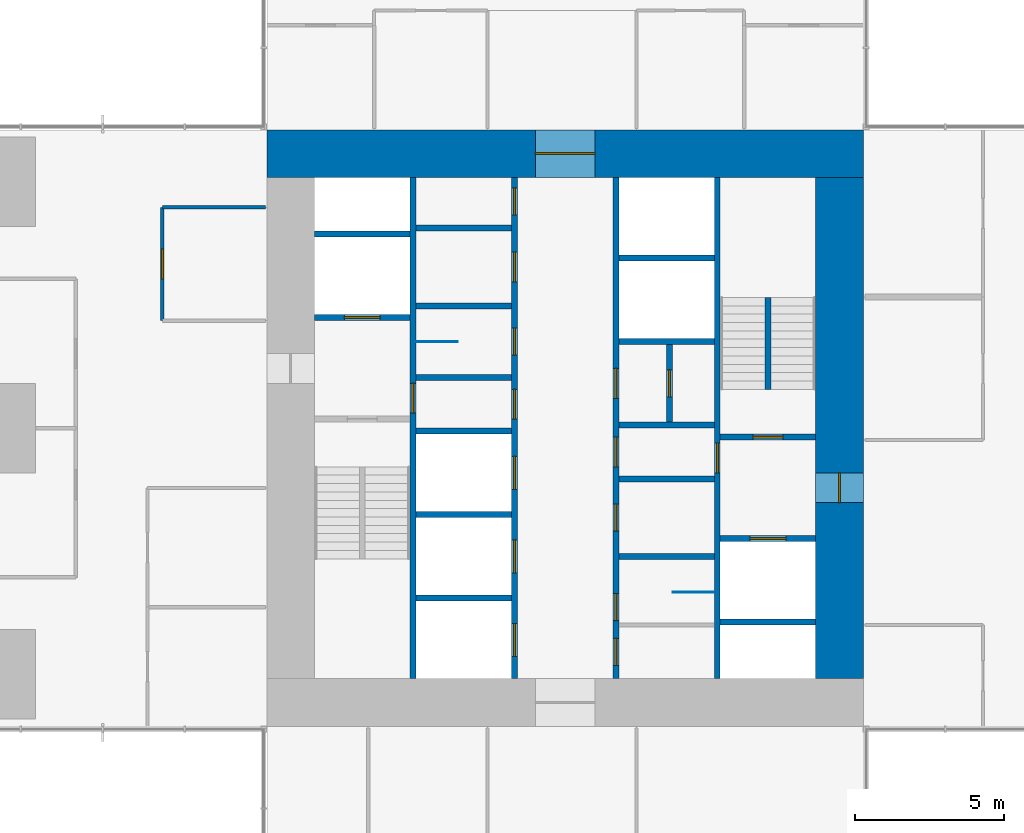
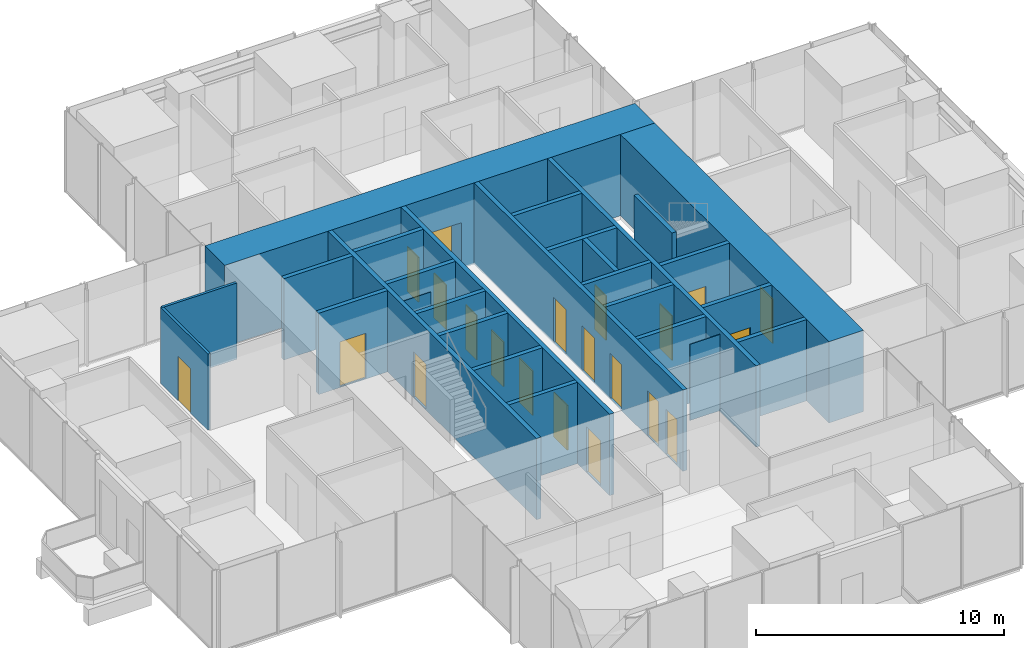
# One storey, part 9 of 14: 28 walls, 21 doors, 21 openings.
"""IFC4 building model written with IfcOpenShell, lengths in metres."""

from ifc_helpers import new_model, si_unit, direction, frame, frame_2d, origin, place, context, subcontext, project, spatial, rectangle, extrude, material, layer, layer_set, type_object, element, fill, save


model = new_model("IFC4")

# Units and contexts
model_context = context("Model", 3, precision=1e-05, world=origin(), true_north=direction((0.0, 1.0)))
body_context = subcontext(model_context, "Body", "Model", "MODEL_VIEW")
ifc_project = project(units=[si_unit("LENGTHUNIT", "METRE"), si_unit("AREAUNIT", "SQUARE_METRE"), si_unit("VOLUMEUNIT", "CUBIC_METRE"), si_unit("PLANEANGLEUNIT", "RADIAN"), si_unit("MASSUNIT", "GRAM", prefix="KILO")], contexts=[model_context])

# Site, building, storey
site_placement = place(None, origin())
site = spatial("IfcSite", under=ifc_project, at=site_placement, CompositionType="ELEMENT")
building_placement = place(site_placement, origin())
building = spatial("IfcBuilding", under=site, at=building_placement, Name="Svetlomir Tower", CompositionType="ELEMENT")
storey_placement = place(building_placement, frame((0.0, 0.0, 112.5)))
storey = spatial("IfcBuildingStorey", under=building, at=storey_placement, Name="L26", CompositionType="ELEMENT", Elevation=112.5)

# Wall, opening, door
ifc_material_1 = material(Name="Concrete C60/75", Category="concrete")
ifc_layer_1 = layer(ifc_material_1, 0.199951171875)
ifc_layer_set_1 = layer_set([ifc_layer_1], Name="Concrete C60/75")
wall_type_1 = type_object("IfcWallType", Name="CORE INNER WALL 200", PredefinedType="SHEAR", material=ifc_layer_set_1)
wall_1_placement = place(storey_placement, frame((15.89990234375, 12.60009765625, -0.050048828125), z_axis=(0.0, 0.0, 1.0), x_axis=(0.0, 1.0, 0.0)))
wall_1 = element("IfcWall", 1, at=wall_1_placement, inside=storey, type_object=wall_type_1, Name="Core inner wall 15.9 L26", PredefinedType="SHEAR", context=body_context, shape_type="SweptSolid", body=[
    extrude(rectangle(XDim=16.7998046875, YDim=0.199951171875, at=frame_2d((8.39990234375, 0.0))), origin(), (0.0, 0.0, 1.0), 4.0),
])
opening_1_placement = place(wall_1_placement, frame((8.89990234375, 0.0, 0.050048828125)))
opening_1 = element("IfcOpeningElement", 2, at=opening_1_placement, cuts=wall_1, Name="Opening DF", PredefinedType="OPENING", context=body_context, shape_type="SweptSolid", body=[
    extrude(rectangle(XDim=1.0, YDim=2.199951171875, at=frame_2d((0.5, 1.10009765625))), frame((0.0, 0.10986328125, 0.0), z_axis=(0.0, -1.0, 0.0), x_axis=(1.0, 0.0, 0.0)), (0.0, 0.0, 1.0), 0.219970703125),
])
ifc_material_2 = material(Name="Steel fire door", Category="steel")
door_type_1 = type_object("IfcDoorType", Name="DOOR DF 1000x2200", OperationType="SINGLE_SWING_LEFT", PredefinedType="DOOR", material=ifc_material_2)
door_1_placement = place(opening_1_placement, origin())
door_1 = element("IfcDoor", 3, at=door_1_placement, inside=storey, type_object=door_type_1, Name="Core corridor west door L26", OperationType="SINGLE_SWING_LEFT", OverallHeight=2.199951171875, OverallWidth=1.0, PredefinedType="DOOR", context=body_context, shape_type="SweptSolid", body=[
    extrude(rectangle(XDim=1.0, YDim=2.199951171875, at=frame_2d((0.5, 1.10009765625))), frame((0.0, 0.02490234375, 0.0), z_axis=(0.0, -1.0, 0.0), x_axis=(1.0, 0.0, 0.0)), (0.0, 0.0, 1.0), 0.050048828125),
])
fill(opening_1, door_1)

# Wall, openings, doors
wall_2_placement = place(storey_placement, frame((19.300048828125, 12.60009765625, -0.050048828125), z_axis=(0.0, 0.0, 1.0), x_axis=(0.0, 1.0, 0.0)))
wall_2 = element("IfcWall", 4, at=wall_2_placement, inside=storey, type_object=wall_type_1, Name="Core inner wall 19.3 L26", PredefinedType="SHEAR", context=body_context, shape_type="SweptSolid", body=[
    extrude(rectangle(XDim=16.7998046875, YDim=0.199951171875, at=frame_2d((8.39990234375, 0.0))), origin(), (0.0, 0.0, 1.0), 4.0),
])
opening_2_placement = place(wall_2_placement, frame((8.699951171875, 0.0, 0.050048828125)))
opening_2 = element("IfcOpeningElement", 5, at=opening_2_placement, cuts=wall_2, Name="Opening DC", PredefinedType="OPENING", context=body_context, shape_type="SweptSolid", body=[
    extrude(rectangle(XDim=1.0, YDim=2.199951171875, at=frame_2d((0.5, 1.10009765625))), frame((0.0, 0.10986328125, 0.0), z_axis=(0.0, -1.0, 0.0), x_axis=(1.0, 0.0, 0.0)), (0.0, 0.0, 1.0), 0.219970703125),
])
opening_3_placement = place(wall_2_placement, frame((10.85009765625, 0.0, 0.050048828125)))
opening_3 = element("IfcOpeningElement", 6, at=opening_3_placement, cuts=wall_2, Name="Opening DW", PredefinedType="OPENING", context=body_context, shape_type="SweptSolid", body=[
    extrude(rectangle(XDim=0.89990234375, YDim=2.199951171875, at=frame_2d((0.449951171875, 1.10009765625))), frame((0.0, 0.10986328125, 0.0), z_axis=(0.0, -1.0, 0.0), x_axis=(1.0, 0.0, 0.0)), (0.0, 0.0, 1.0), 0.219970703125),
])
opening_4_placement = place(wall_2_placement, frame((13.300048828125, 0.0, 0.050048828125)))
opening_4 = element("IfcOpeningElement", 7, at=opening_4_placement, cuts=wall_2, Name="Opening DC", PredefinedType="OPENING", context=body_context, shape_type="SweptSolid", body=[
    extrude(rectangle(XDim=1.0, YDim=2.199951171875, at=frame_2d((0.5, 1.10009765625))), frame((0.0, 0.10986328125, 0.0), z_axis=(0.0, -1.0, 0.0), x_axis=(1.0, 0.0, 0.0)), (0.0, 0.0, 1.0), 0.219970703125),
])
opening_5_placement = place(wall_2_placement, frame((15.550048828125, 0.0, 0.050048828125)))
opening_5 = element("IfcOpeningElement", 8, at=opening_5_placement, cuts=wall_2, Name="Opening DW", PredefinedType="OPENING", context=body_context, shape_type="SweptSolid", body=[
    extrude(rectangle(XDim=0.89990234375, YDim=2.199951171875, at=frame_2d((0.449951171875, 1.10009765625))), frame((0.0, 0.10986328125, 0.0), z_axis=(0.0, -1.0, 0.0), x_axis=(1.0, 0.0, 0.0)), (0.0, 0.0, 1.0), 0.219970703125),
])
opening_6_placement = place(wall_2_placement, frame((0.75, 0.0, 0.050048828125)))
opening_6 = element("IfcOpeningElement", 9, at=opening_6_placement, cuts=wall_2, Name="Opening LD", PredefinedType="OPENING", context=body_context, shape_type="SweptSolid", body=[
    extrude(rectangle(XDim=1.10009765625, YDim=2.199951171875, at=frame_2d((0.550048828125, 1.10009765625))), frame((0.0, 0.10986328125, 0.0), z_axis=(0.0, -1.0, 0.0), x_axis=(1.0, 0.0, 0.0)), (0.0, 0.0, 1.0), 0.219970703125),
])
opening_7_placement = place(wall_2_placement, frame((3.550048828125, 0.0, 0.050048828125)))
opening_7 = element("IfcOpeningElement", 10, at=opening_7_placement, cuts=wall_2, Name="Opening LD", PredefinedType="OPENING", context=body_context, shape_type="SweptSolid", body=[
    extrude(rectangle(XDim=1.10009765625, YDim=2.199951171875, at=frame_2d((0.550048828125, 1.10009765625))), frame((0.0, 0.10986328125, 0.0), z_axis=(0.0, -1.0, 0.0), x_axis=(1.0, 0.0, 0.0)), (0.0, 0.0, 1.0), 0.219970703125),
])
opening_8_placement = place(wall_2_placement, frame((6.35009765625, 0.0, 0.050048828125)))
opening_8 = element("IfcOpeningElement", 11, at=opening_8_placement, cuts=wall_2, Name="Opening LD", PredefinedType="OPENING", context=body_context, shape_type="SweptSolid", body=[
    extrude(rectangle(XDim=1.10009765625, YDim=2.199951171875, at=frame_2d((0.550048828125, 1.10009765625))), frame((0.0, 0.10986328125, 0.0), z_axis=(0.0, -1.0, 0.0), x_axis=(1.0, 0.0, 0.0)), (0.0, 0.0, 1.0), 0.219970703125),
])
ifc_material_3 = material(Name="Timber fire door", Category="wood")
door_type_2 = type_object("IfcDoorType", Name="DOOR DC 1000x2200", OperationType="SINGLE_SWING_LEFT", PredefinedType="DOOR", material=ifc_material_3)
door_2_placement = place(opening_2_placement, origin())
door_2 = element("IfcDoor", 12, at=door_2_placement, inside=storey, type_object=door_type_2, Name="Core corridor west lobby door L26", OperationType="SINGLE_SWING_RIGHT", OverallHeight=2.199951171875, OverallWidth=1.0, PredefinedType="DOOR", context=body_context, shape_type="SweptSolid", body=[
    extrude(rectangle(XDim=1.0, YDim=2.199951171875, at=frame_2d((0.5, 1.10009765625))), frame((0.0, 0.02490234375, 0.0), z_axis=(0.0, -1.0, 0.0), x_axis=(1.0, 0.0, 0.0)), (0.0, 0.0, 1.0), 0.050048828125),
])
fill(opening_2, door_2)
door_3_placement = place(opening_4_placement, origin())
door_3 = element("IfcDoor", 13, at=door_3_placement, inside=storey, type_object=door_type_2, Name="Accessible WC door L26", OperationType="SINGLE_SWING_LEFT", OverallHeight=2.199951171875, OverallWidth=1.0, PredefinedType="DOOR", context=body_context, shape_type="SweptSolid", body=[
    extrude(rectangle(XDim=1.0, YDim=2.199951171875, at=frame_2d((0.5, 1.10009765625))), frame((0.0, 0.02490234375, 0.0), z_axis=(0.0, -1.0, 0.0), x_axis=(1.0, 0.0, 0.0)), (0.0, 0.0, 1.0), 0.050048828125),
])
fill(opening_4, door_3)
ifc_material_4 = material(Name="Timber fire door", Category="wood")
door_type_3 = type_object("IfcDoorType", Name="DOOR DW 900x2200", OperationType="SINGLE_SWING_LEFT", PredefinedType="DOOR", material=ifc_material_4)
door_4_placement = place(opening_3_placement, origin())
door_4 = element("IfcDoor", 14, at=door_4_placement, inside=storey, type_object=door_type_3, Name="Female WC door L26", OperationType="SINGLE_SWING_RIGHT", OverallHeight=2.199951171875, OverallWidth=0.89990234375, PredefinedType="DOOR", context=body_context, shape_type="SweptSolid", body=[
    extrude(rectangle(XDim=0.89990234375, YDim=2.199951171875, at=frame_2d((0.449951171875, 1.10009765625))), frame((0.0, 0.02490234375, 0.0), z_axis=(0.0, -1.0, 0.0), x_axis=(1.0, 0.0, 0.0)), (0.0, 0.0, 1.0), 0.050048828125),
])
fill(opening_3, door_4)
door_5_placement = place(opening_5_placement, origin())
door_5 = element("IfcDoor", 15, at=door_5_placement, inside=storey, type_object=door_type_3, Name="First aid room door L26", OperationType="SINGLE_SWING_RIGHT", OverallHeight=2.199951171875, OverallWidth=0.89990234375, PredefinedType="DOOR", context=body_context, shape_type="SweptSolid", body=[
    extrude(rectangle(XDim=0.89990234375, YDim=2.199951171875, at=frame_2d((0.449951171875, 1.10009765625))), frame((0.0, 0.02490234375, 0.0), z_axis=(0.0, -1.0, 0.0), x_axis=(1.0, 0.0, 0.0)), (0.0, 0.0, 1.0), 0.050048828125),
])
fill(opening_5, door_5)
ifc_material_5 = material(Name="Stainless steel landing door", Category="steel")
door_type_4 = type_object("IfcDoorType", Name="LIFT LANDING DOOR LD 1100x2200", OperationType="DOUBLE_DOOR_SLIDING", PredefinedType="DOOR", material=ifc_material_5)
door_6_placement = place(opening_6_placement, origin())
door_6 = element("IfcDoor", 16, at=door_6_placement, inside=storey, type_object=door_type_4, Name="Landing door lift LB1 L26", OperationType="DOUBLE_DOOR_SLIDING", OverallHeight=2.199951171875, OverallWidth=1.10009765625, PredefinedType="DOOR", context=body_context, shape_type="SweptSolid", body=[
    extrude(rectangle(XDim=1.10009765625, YDim=2.199951171875, at=frame_2d((0.550048828125, 1.10009765625))), frame((0.0, 0.02490234375, 0.0), z_axis=(0.0, -1.0, 0.0), x_axis=(1.0, 0.0, 0.0)), (0.0, 0.0, 1.0), 0.050048828125),
])
fill(opening_6, door_6)
door_7_placement = place(opening_7_placement, origin())
door_7 = element("IfcDoor", 17, at=door_7_placement, inside=storey, type_object=door_type_4, Name="Landing door lift LB2 L26", OperationType="DOUBLE_DOOR_SLIDING", OverallHeight=2.199951171875, OverallWidth=1.10009765625, PredefinedType="DOOR", context=body_context, shape_type="SweptSolid", body=[
    extrude(rectangle(XDim=1.10009765625, YDim=2.199951171875, at=frame_2d((0.550048828125, 1.10009765625))), frame((0.0, 0.02490234375, 0.0), z_axis=(0.0, -1.0, 0.0), x_axis=(1.0, 0.0, 0.0)), (0.0, 0.0, 1.0), 0.050048828125),
])
fill(opening_7, door_7)
door_8_placement = place(opening_8_placement, origin())
door_8 = element("IfcDoor", 18, at=door_8_placement, inside=storey, type_object=door_type_4, Name="Landing door lift LB3 L26", OperationType="DOUBLE_DOOR_SLIDING", OverallHeight=2.199951171875, OverallWidth=1.10009765625, PredefinedType="DOOR", context=body_context, shape_type="SweptSolid", body=[
    extrude(rectangle(XDim=1.10009765625, YDim=2.199951171875, at=frame_2d((0.550048828125, 1.10009765625))), frame((0.0, 0.02490234375, 0.0), z_axis=(0.0, -1.0, 0.0), x_axis=(1.0, 0.0, 0.0)), (0.0, 0.0, 1.0), 0.050048828125),
])
fill(opening_8, door_8)

wall_3_placement = place(storey_placement, frame((22.699951171875, 12.60009765625, -0.050048828125), z_axis=(0.0, 0.0, 1.0), x_axis=(0.0, 1.0, 0.0)))
wall_3 = element("IfcWall", 19, at=wall_3_placement, inside=storey, type_object=wall_type_1, Name="Core inner wall 22.7 L26", PredefinedType="SHEAR", context=body_context, shape_type="SweptSolid", body=[
    extrude(rectangle(XDim=16.7998046875, YDim=0.199951171875, at=frame_2d((8.39990234375, 0.0))), origin(), (0.0, 0.0, 1.0), 4.0),
])
opening_9_placement = place(wall_3_placement, frame((0.449951171875, 0.0, 0.050048828125)))
opening_9 = element("IfcOpeningElement", 20, at=opening_9_placement, cuts=wall_3, Name="Opening DW", PredefinedType="OPENING", context=body_context, shape_type="SweptSolid", body=[
    extrude(rectangle(XDim=0.89990234375, YDim=2.199951171875, at=frame_2d((0.449951171875, 1.10009765625))), frame((0.0, 0.10986328125, 0.0), z_axis=(0.0, -1.0, 0.0), x_axis=(1.0, 0.0, 0.0)), (0.0, 0.0, 1.0), 0.219970703125),
])
opening_10_placement = place(wall_3_placement, frame((7.10009765625, 0.0, 0.050048828125)))
opening_10 = element("IfcOpeningElement", 21, at=opening_10_placement, cuts=wall_3, Name="Opening DC", PredefinedType="OPENING", context=body_context, shape_type="SweptSolid", body=[
    extrude(rectangle(XDim=1.0, YDim=2.199951171875, at=frame_2d((0.5, 1.10009765625))), frame((0.0, 0.10986328125, 0.0), z_axis=(0.0, -1.0, 0.0), x_axis=(1.0, 0.0, 0.0)), (0.0, 0.0, 1.0), 0.219970703125),
])
opening_11_placement = place(wall_3_placement, frame((1.949951171875, 0.0, 0.050048828125)))
opening_11 = element("IfcOpeningElement", 22, at=opening_11_placement, cuts=wall_3, Name="Opening DW", PredefinedType="OPENING", context=body_context, shape_type="SweptSolid", body=[
    extrude(rectangle(XDim=0.89990234375, YDim=2.199951171875, at=frame_2d((0.449951171875, 1.10009765625))), frame((0.0, 0.10986328125, 0.0), z_axis=(0.0, -1.0, 0.0), x_axis=(1.0, 0.0, 0.0)), (0.0, 0.0, 1.0), 0.219970703125),
])
opening_12_placement = place(wall_3_placement, frame((4.949951171875, 0.0, 0.050048828125)))
opening_12 = element("IfcOpeningElement", 23, at=opening_12_placement, cuts=wall_3, Name="Opening DW", PredefinedType="OPENING", context=body_context, shape_type="SweptSolid", body=[
    extrude(rectangle(XDim=0.89990234375, YDim=2.199951171875, at=frame_2d((0.449951171875, 1.10009765625))), frame((0.0, 0.10986328125, 0.0), z_axis=(0.0, -1.0, 0.0), x_axis=(1.0, 0.0, 0.0)), (0.0, 0.0, 1.0), 0.219970703125),
])
opening_13_placement = place(wall_3_placement, frame((9.39990234375, 0.0, 0.050048828125)))
opening_13 = element("IfcOpeningElement", 24, at=opening_13_placement, cuts=wall_3, Name="Opening DC", PredefinedType="OPENING", context=body_context, shape_type="SweptSolid", body=[
    extrude(rectangle(XDim=1.0, YDim=2.199951171875, at=frame_2d((0.5, 1.10009765625))), frame((0.0, 0.10986328125, 0.0), z_axis=(0.0, -1.0, 0.0), x_axis=(1.0, 0.0, 0.0)), (0.0, 0.0, 1.0), 0.219970703125),
])
door_9_placement = place(opening_10_placement, origin())
door_9 = element("IfcDoor", 25, at=door_9_placement, inside=storey, type_object=door_type_2, Name="Core corridor east lobby door L26", OperationType="SINGLE_SWING_LEFT", OverallHeight=2.199951171875, OverallWidth=1.0, PredefinedType="DOOR", context=body_context, shape_type="SweptSolid", body=[
    extrude(rectangle(XDim=1.0, YDim=2.199951171875, at=frame_2d((0.5, 1.10009765625))), frame((0.0, 0.02490234375, 0.0), z_axis=(0.0, -1.0, 0.0), x_axis=(1.0, 0.0, 0.0)), (0.0, 0.0, 1.0), 0.050048828125),
])
fill(opening_10, door_9)
door_10_placement = place(opening_13_placement, origin())
door_10 = element("IfcDoor", 26, at=door_10_placement, inside=storey, type_object=door_type_2, Name="Converted shaft BANK-E1 room door L26", OperationType="SINGLE_SWING_LEFT", OverallHeight=2.199951171875, OverallWidth=1.0, PredefinedType="DOOR", context=body_context, shape_type="SweptSolid", body=[
    extrude(rectangle(XDim=1.0, YDim=2.199951171875, at=frame_2d((0.5, 1.10009765625))), frame((0.0, 0.02490234375, 0.0), z_axis=(0.0, -1.0, 0.0), x_axis=(1.0, 0.0, 0.0)), (0.0, 0.0, 1.0), 0.050048828125),
])
fill(opening_13, door_10)
door_11_placement = place(opening_9_placement, origin())
door_11 = element("IfcDoor", 27, at=door_11_placement, inside=storey, type_object=door_type_3, Name="Floor store door L26", OperationType="SINGLE_SWING_LEFT", OverallHeight=2.199951171875, OverallWidth=0.89990234375, PredefinedType="DOOR", context=body_context, shape_type="SweptSolid", body=[
    extrude(rectangle(XDim=0.89990234375, YDim=2.199951171875, at=frame_2d((0.449951171875, 1.10009765625))), frame((0.0, 0.02490234375, 0.0), z_axis=(0.0, -1.0, 0.0), x_axis=(1.0, 0.0, 0.0)), (0.0, 0.0, 1.0), 0.050048828125),
])
fill(opening_9, door_11)
door_12_placement = place(opening_11_placement, origin())
door_12 = element("IfcDoor", 28, at=door_12_placement, inside=storey, type_object=door_type_3, Name="Male WC door L26", OperationType="SINGLE_SWING_LEFT", OverallHeight=2.199951171875, OverallWidth=0.89990234375, PredefinedType="DOOR", context=body_context, shape_type="SweptSolid", body=[
    extrude(rectangle(XDim=0.89990234375, YDim=2.199951171875, at=frame_2d((0.449951171875, 1.10009765625))), frame((0.0, 0.02490234375, 0.0), z_axis=(0.0, -1.0, 0.0), x_axis=(1.0, 0.0, 0.0)), (0.0, 0.0, 1.0), 0.050048828125),
])
fill(opening_11, door_12)
door_13_placement = place(opening_12_placement, origin())
door_13 = element("IfcDoor", 29, at=door_13_placement, inside=storey, type_object=door_type_3, Name="Comms room door L26", OperationType="SINGLE_SWING_RIGHT", OverallHeight=2.199951171875, OverallWidth=0.89990234375, PredefinedType="DOOR", context=body_context, shape_type="SweptSolid", body=[
    extrude(rectangle(XDim=0.89990234375, YDim=2.199951171875, at=frame_2d((0.449951171875, 1.10009765625))), frame((0.0, 0.02490234375, 0.0), z_axis=(0.0, -1.0, 0.0), x_axis=(1.0, 0.0, 0.0)), (0.0, 0.0, 1.0), 0.050048828125),
])
fill(opening_12, door_13)

# Wall, opening, door
wall_4_placement = place(storey_placement, frame((26.10009765625, 12.60009765625, -0.050048828125), z_axis=(0.0, 0.0, 1.0), x_axis=(0.0, 1.0, 0.0)))
wall_4 = element("IfcWall", 30, at=wall_4_placement, inside=storey, type_object=wall_type_1, Name="Core inner wall 26.1 L26", PredefinedType="SHEAR", context=body_context, shape_type="SweptSolid", body=[
    extrude(rectangle(XDim=16.7998046875, YDim=0.199951171875, at=frame_2d((8.39990234375, 0.0))), origin(), (0.0, 0.0, 1.0), 4.0),
])
opening_14_placement = place(wall_4_placement, frame((6.89990234375, 0.0, 0.050048828125)))
opening_14 = element("IfcOpeningElement", 31, at=opening_14_placement, cuts=wall_4, Name="Opening DF", PredefinedType="OPENING", context=body_context, shape_type="SweptSolid", body=[
    extrude(rectangle(XDim=1.0, YDim=2.199951171875, at=frame_2d((0.5, 1.10009765625))), frame((0.0, 0.10986328125, 0.0), z_axis=(0.0, -1.0, 0.0), x_axis=(1.0, 0.0, 0.0)), (0.0, 0.0, 1.0), 0.219970703125),
])
door_14_placement = place(opening_14_placement, origin())
door_14 = element("IfcDoor", 32, at=door_14_placement, inside=storey, type_object=door_type_1, Name="Core corridor east door L26", OperationType="SINGLE_SWING_LEFT", OverallHeight=2.199951171875, OverallWidth=1.0, PredefinedType="DOOR", context=body_context, shape_type="SweptSolid", body=[
    extrude(rectangle(XDim=1.0, YDim=2.199951171875, at=frame_2d((0.5, 1.10009765625))), frame((0.0, 0.02490234375, 0.0), z_axis=(0.0, -1.0, 0.0), x_axis=(1.0, 0.0, 0.0)), (0.0, 0.0, 1.0), 0.050048828125),
])
fill(opening_14, door_14)

wall_5_placement = place(storey_placement, frame((12.60009765625, 24.699951171875, -0.050048828125), z_axis=(0.0, 0.0, 1.0), x_axis=(1.0, 0.0, 0.0)))
wall_5 = element("IfcWall", 33, at=wall_5_placement, inside=storey, type_object=wall_type_1, Name="Core inner wall 12.6-15.8/24.7 L26", PredefinedType="SHEAR", context=body_context, shape_type="SweptSolid", body=[
    extrude(rectangle(XDim=3.199951171875, YDim=0.199951171875, at=frame_2d((1.60009765625, 0.0))), origin(), (0.0, 0.0, 1.0), 4.0),
])
opening_15_placement = place(wall_5_placement, frame((1.0, 0.0, 0.050048828125)))
opening_15 = element("IfcOpeningElement", 34, at=opening_15_placement, cuts=wall_5, Name="Opening LD3", PredefinedType="OPENING", context=body_context, shape_type="SweptSolid", body=[
    extrude(rectangle(XDim=1.199951171875, YDim=2.199951171875, at=frame_2d((0.60009765625, 1.10009765625))), frame((0.0, 0.10986328125, 0.0), z_axis=(0.0, -1.0, 0.0), x_axis=(1.0, 0.0, 0.0)), (0.0, 0.0, 1.0), 0.219970703125),
])
ifc_material_6 = material(Name="Stainless steel fire-rated landing door", Category="steel")
door_type_5 = type_object("IfcDoorType", Name="FIREFIGHTING LIFT LANDING DOOR LD3 1200x2200", OperationType="DOUBLE_DOOR_SLIDING", PredefinedType="DOOR", material=ifc_material_6)
door_15_placement = place(opening_15_placement, origin())
door_15 = element("IfcDoor", 35, at=door_15_placement, inside=storey, type_object=door_type_5, Name="Landing door lift FL1 L26", OperationType="DOUBLE_DOOR_SLIDING", OverallHeight=2.199951171875, OverallWidth=1.199951171875, PredefinedType="DOOR", context=body_context, shape_type="SweptSolid", body=[
    extrude(rectangle(XDim=1.199951171875, YDim=2.199951171875, at=frame_2d((0.60009765625, 1.10009765625))), frame((0.0, 0.02490234375, 0.0), z_axis=(0.0, -1.0, 0.0), x_axis=(1.0, 0.0, 0.0)), (0.0, 0.0, 1.0), 0.050048828125),
])
fill(opening_15, door_15)

# Walls
for number, where, z_axis, x_axis, name in (
    (36, (12.60009765625, 27.5, -0.050048828125), (0.0, 0.0, 1.0), (1.0, 0.0, 0.0), "Core inner wall 12.6-15.8/27.5 L26"),
    (37, (16.0, 15.300048828125, -0.050048828125), (0.0, 0.0, 1.0), (1.0, 0.0, 0.0), "Core inner wall 16-19.2/15.3 L26"),
    (38, (16.0, 18.10009765625, -0.050048828125), (0.0, 0.0, 1.0), (1.0, 0.0, 0.0), "Core inner wall 16-19.2/18.1 L26"),
    (39, (16.0, 20.89990234375, -0.050048828125), (0.0, 0.0, 1.0), (1.0, 0.0, 0.0), "Core inner wall 16-19.2/20.9 L26"),
    (40, (16.0, 22.699951171875, -0.050048828125), (0.0, 0.0, 1.0), (1.0, 0.0, 0.0), "Core inner wall 16-19.2/22.7 L26"),
    (41, (16.0, 25.10009765625, -0.050048828125), (0.0, 0.0, 1.0), (1.0, 0.0, 0.0), "Core inner wall 16-19.2/25.1 L26"),
    (42, (16.0, 27.699951171875, -0.050048828125), (0.0, 0.0, 1.0), (1.0, 0.0, 0.0), "Core inner wall 16-19.2/27.7 L26"),
    (43, (22.800048828125, 16.699951171875, -0.050048828125), (0.0, 0.0, 1.0), (1.0, 0.0, 0.0), "Core inner wall 22.8-26/16.7 L26"),
    (44, (22.800048828125, 19.300048828125, -0.050048828125), (0.0, 0.0, 1.0), (1.0, 0.0, 0.0), "Core inner wall 22.8-26/19.3 L26"),
    (45, (22.800048828125, 21.10009765625, -0.050048828125), (0.0, 0.0, 1.0), (1.0, 0.0, 0.0), "Core inner wall 22.8-26/21.1 L26"),
    (46, (22.800048828125, 23.89990234375, -0.050048828125), (0.0, 0.0, 1.0), (1.0, 0.0, 0.0), "Core inner wall 22.8-26/23.9 L26"),
    (47, (22.800048828125, 26.699951171875, -0.050048828125), (0.0, 0.0, 1.0), (1.0, 0.0, 0.0), "Core inner wall 22.8-26/26.7 L26"),
    (48, (26.199951171875, 14.5, -0.050048828125), (0.0, 0.0, 1.0), (1.0, 0.0, 0.0), "Core inner wall 26.2-29.4/14.5 L26"),
):
    element("IfcWall", number, at=place(storey_placement, frame(where, z_axis=z_axis, x_axis=x_axis)), inside=storey, type_object=wall_type_1, Name=name, PredefinedType="SHEAR", context=body_context, shape_type="SweptSolid", body=[
        extrude(rectangle(XDim=3.199951171875, YDim=0.199951171875, at=frame_2d((1.60009765625, 0.0))), origin(), (0.0, 0.0, 1.0), 4.0),
    ])

# Wall, opening, door
wall_6_placement = place(storey_placement, frame((26.199951171875, 17.300048828125, -0.050048828125), z_axis=(0.0, 0.0, 1.0), x_axis=(1.0, 0.0, 0.0)))
wall_6 = element("IfcWall", 49, at=wall_6_placement, inside=storey, type_object=wall_type_1, Name="Core inner wall 26.2-29.4/17.3 L26", PredefinedType="SHEAR", context=body_context, shape_type="SweptSolid", body=[
    extrude(rectangle(XDim=3.199951171875, YDim=0.199951171875, at=frame_2d((1.60009765625, 0.0))), origin(), (0.0, 0.0, 1.0), 4.0),
])
opening_16_placement = place(wall_6_placement, frame((1.0, 0.0, 0.050048828125)))
opening_16 = element("IfcOpeningElement", 50, at=opening_16_placement, cuts=wall_6, Name="Opening LD3", PredefinedType="OPENING", context=body_context, shape_type="SweptSolid", body=[
    extrude(rectangle(XDim=1.199951171875, YDim=2.199951171875, at=frame_2d((0.60009765625, 1.10009765625))), frame((0.0, 0.10986328125, 0.0), z_axis=(0.0, -1.0, 0.0), x_axis=(1.0, 0.0, 0.0)), (0.0, 0.0, 1.0), 0.219970703125),
])
door_16_placement = place(opening_16_placement, origin())
door_16 = element("IfcDoor", 51, at=door_16_placement, inside=storey, type_object=door_type_5, Name="Landing door lift FL2 L26", OperationType="DOUBLE_DOOR_SLIDING", OverallHeight=2.199951171875, OverallWidth=1.199951171875, PredefinedType="DOOR", context=body_context, shape_type="SweptSolid", body=[
    extrude(rectangle(XDim=1.199951171875, YDim=2.199951171875, at=frame_2d((0.60009765625, 1.10009765625))), frame((0.0, 0.02490234375, 0.0), z_axis=(0.0, -1.0, 0.0), x_axis=(1.0, 0.0, 0.0)), (0.0, 0.0, 1.0), 0.050048828125),
])
fill(opening_16, door_16)

wall_7_placement = place(storey_placement, frame((26.199951171875, 20.699951171875, -0.050048828125), z_axis=(0.0, 0.0, 1.0), x_axis=(1.0, 0.0, 0.0)))
wall_7 = element("IfcWall", 52, at=wall_7_placement, inside=storey, type_object=wall_type_1, Name="Core inner wall 26.2-29.4/20.7 L26", PredefinedType="SHEAR", context=body_context, shape_type="SweptSolid", body=[
    extrude(rectangle(XDim=3.199951171875, YDim=0.199951171875, at=frame_2d((1.60009765625, 0.0))), origin(), (0.0, 0.0, 1.0), 4.0),
])
opening_17_placement = place(wall_7_placement, frame((1.10009765625, 0.0, 0.050048828125)))
opening_17 = element("IfcOpeningElement", 53, at=opening_17_placement, cuts=wall_7, Name="Opening DF", PredefinedType="OPENING", context=body_context, shape_type="SweptSolid", body=[
    extrude(rectangle(XDim=1.0, YDim=2.199951171875, at=frame_2d((0.5, 1.10009765625))), frame((0.0, 0.10986328125, 0.0), z_axis=(0.0, -1.0, 0.0), x_axis=(1.0, 0.0, 0.0)), (0.0, 0.0, 1.0), 0.219970703125),
])
door_17_placement = place(opening_17_placement, origin())
door_17 = element("IfcDoor", 54, at=door_17_placement, inside=storey, type_object=door_type_1, Name="Stair S2 door L26", OperationType="SINGLE_SWING_LEFT", OverallHeight=2.199951171875, OverallWidth=1.0, PredefinedType="DOOR", context=body_context, shape_type="SweptSolid", body=[
    extrude(rectangle(XDim=1.0, YDim=2.199951171875, at=frame_2d((0.5, 1.10009765625))), frame((0.0, 0.02490234375, 0.0), z_axis=(0.0, -1.0, 0.0), x_axis=(1.0, 0.0, 0.0)), (0.0, 0.0, 1.0), 0.050048828125),
])
fill(opening_17, door_17)

wall_8_placement = place(storey_placement, frame((24.5, 21.199951171875, -0.050048828125), z_axis=(0.0, 0.0, 1.0), x_axis=(0.0, 1.0, 0.0)))
wall_8 = element("IfcWall", 55, at=wall_8_placement, inside=storey, type_object=wall_type_1, Name="Core inner wall 24.5/21.2-23.8 L26", PredefinedType="SHEAR", context=body_context, shape_type="SweptSolid", body=[
    extrude(rectangle(XDim=2.60009765625, YDim=0.199951171875, at=frame_2d((1.300048828125, 0.0))), origin(), (0.0, 0.0, 1.0), 4.0),
])
opening_18_placement = place(wall_8_placement, frame((0.85009765625, 0.0, 0.050048828125)))
opening_18 = element("IfcOpeningElement", 56, at=opening_18_placement, cuts=wall_8, Name="Opening DW", PredefinedType="OPENING", context=body_context, shape_type="SweptSolid", body=[
    extrude(rectangle(XDim=0.89990234375, YDim=2.199951171875, at=frame_2d((0.449951171875, 1.10009765625))), frame((0.0, 0.10986328125, 0.0), z_axis=(0.0, -1.0, 0.0), x_axis=(1.0, 0.0, 0.0)), (0.0, 0.0, 1.0), 0.219970703125),
])
door_18_placement = place(opening_18_placement, origin())
door_18 = element("IfcDoor", 57, at=door_18_placement, inside=storey, type_object=door_type_3, Name="Converted shaft BANK-E1 back room door L26", OperationType="SINGLE_SWING_RIGHT", OverallHeight=2.199951171875, OverallWidth=0.89990234375, PredefinedType="DOOR", context=body_context, shape_type="SweptSolid", body=[
    extrude(rectangle(XDim=0.89990234375, YDim=2.199951171875, at=frame_2d((0.449951171875, 1.10009765625))), frame((0.0, 0.02490234375, 0.0), z_axis=(0.0, -1.0, 0.0), x_axis=(1.0, 0.0, 0.0)), (0.0, 0.0, 1.0), 0.050048828125),
])
fill(opening_18, door_18)

ifc_material_7 = material(Name="Concrete C60/75", Category="concrete")
ifc_layer_2 = layer(ifc_material_7, 1.60009765625)
ifc_layer_set_2 = layer_set([ifc_layer_2], Name="Concrete C60/75")
wall_type_2 = type_object("IfcWallType", Name="CORE WALL 1600", PredefinedType="SHEAR", material=ifc_layer_set_2)
wall_9_placement = place(storey_placement, frame((11.0, 30.199951171875, -0.050048828125), z_axis=(0.0, 0.0, 1.0), x_axis=(1.0, 0.0, 0.0)))
wall_9 = element("IfcWall", 58, at=wall_9_placement, inside=storey, type_object=wall_type_2, Name="Core wall north L26", PredefinedType="SHEAR", context=body_context, shape_type="SweptSolid", body=[
    extrude(rectangle(XDim=20.0, YDim=1.60009765625, at=frame_2d((10.0, 0.0))), origin(), (0.0, 0.0, 1.0), 4.0),
])
opening_19_placement = place(wall_9_placement, frame((9.0, 0.0, 0.050048828125)))
opening_19 = element("IfcOpeningElement", 59, at=opening_19_placement, cuts=wall_9, Name="Opening DL", PredefinedType="OPENING", context=body_context, shape_type="SweptSolid", body=[
    extrude(rectangle(XDim=2.0, YDim=2.199951171875, at=frame_2d((1.0, 1.10009765625))), frame((0.0, 0.81005859375, 0.0), z_axis=(0.0, -1.0, 0.0), x_axis=(1.0, 0.0, 0.0)), (0.0, 0.0, 1.0), 1.6201171875),
])
ifc_material_8 = material(Name="Steel fire door", Category="steel")
door_type_6 = type_object("IfcDoorType", Name="DOOR DL 2000x2200", OperationType="DOUBLE_DOOR_SINGLE_SWING", PredefinedType="DOOR", material=ifc_material_8)
door_19_placement = place(opening_19_placement, origin())
door_19 = element("IfcDoor", 60, at=door_19_placement, inside=storey, type_object=door_type_6, Name="Lift lobby north door L26", OperationType="DOUBLE_DOOR_SINGLE_SWING", OverallHeight=2.199951171875, OverallWidth=2.0, PredefinedType="DOOR", context=body_context, shape_type="SweptSolid", body=[
    extrude(rectangle(XDim=2.0, YDim=2.199951171875, at=frame_2d((1.0, 1.10009765625))), frame((0.0, 0.02490234375, 0.0), z_axis=(0.0, -1.0, 0.0), x_axis=(1.0, 0.0, 0.0)), (0.0, 0.0, 1.0), 0.050048828125),
])
fill(opening_19, door_19)

wall_10_placement = place(storey_placement, frame((30.199951171875, 12.60009765625, -0.050048828125), z_axis=(0.0, 0.0, 1.0), x_axis=(0.0, 1.0, 0.0)))
wall_10 = element("IfcWall", 61, at=wall_10_placement, inside=storey, type_object=wall_type_2, Name="Core wall east L26", PredefinedType="SHEAR", context=body_context, shape_type="SweptSolid", body=[
    extrude(rectangle(XDim=16.7998046875, YDim=1.60009765625, at=frame_2d((8.39990234375, 0.0))), origin(), (0.0, 0.0, 1.0), 4.0),
])
opening_20_placement = place(wall_10_placement, frame((5.89990234375, 0.0, 0.050048828125)))
opening_20 = element("IfcOpeningElement", 62, at=opening_20_placement, cuts=wall_10, Name="Opening DF", PredefinedType="OPENING", context=body_context, shape_type="SweptSolid", body=[
    extrude(rectangle(XDim=1.0, YDim=2.199951171875, at=frame_2d((0.5, 1.10009765625))), frame((0.0, 0.81005859375, 0.0), z_axis=(0.0, -1.0, 0.0), x_axis=(1.0, 0.0, 0.0)), (0.0, 0.0, 1.0), 1.6201171875),
])
door_20_placement = place(opening_20_placement, origin())
door_20 = element("IfcDoor", 63, at=door_20_placement, inside=storey, type_object=door_type_1, Name="Firefighting lobby east door L26", OperationType="SINGLE_SWING_LEFT", OverallHeight=2.199951171875, OverallWidth=1.0, PredefinedType="DOOR", context=body_context, shape_type="SweptSolid", body=[
    extrude(rectangle(XDim=1.0, YDim=2.199951171875, at=frame_2d((0.5, 1.10009765625))), frame((0.0, 0.02490234375, 0.0), z_axis=(0.0, -1.0, 0.0), x_axis=(1.0, 0.0, 0.0)), (0.0, 0.0, 1.0), 0.050048828125),
])
fill(opening_20, door_20)

ifc_material_9 = material(Name="Gypsum board on steel studs", Category="steel")
ifc_layer_3 = layer(ifc_material_9, 0.1201171875)
ifc_layer_set_3 = layer_set([ifc_layer_3], Name="Gypsum board on steel studs")
wall_type_3 = type_object("IfcWallType", Name="PARTITION 120", PredefinedType="PARTITIONING", material=ifc_layer_set_3)
wall_11_placement = place(storey_placement, frame((7.5, 24.60009765625, 0.0), z_axis=(0.0, 0.0, 1.0), x_axis=(0.0, 1.0, 0.0)))
wall_11 = element("IfcWall", 64, at=wall_11_placement, inside=storey, type_object=wall_type_3, Name="Partition L26", PredefinedType="PARTITIONING", context=body_context, shape_type="SweptSolid", body=[
    extrude(rectangle(XDim=3.7998046875, YDim=0.1201171875, at=frame_2d((1.89990234375, 0.0))), origin(), (0.0, 0.0, 1.0), 3.75),
])
opening_21_placement = place(wall_11_placement, frame((1.39990234375, 0.0, 0.0)))
opening_21 = element("IfcOpeningElement", 65, at=opening_21_placement, cuts=wall_11, Name="Opening DR", PredefinedType="OPENING", context=body_context, shape_type="SweptSolid", body=[
    extrude(rectangle(XDim=1.0, YDim=2.199951171875, at=frame_2d((0.5, 1.10009765625))), frame((0.0, 0.070068359375, 0.0), z_axis=(0.0, -1.0, 0.0), x_axis=(1.0, 0.0, 0.0)), (0.0, 0.0, 1.0), 0.14013671875),
])
ifc_material_10 = material(Name="Timber door, glazed side light", Category="wood")
door_type_7 = type_object("IfcDoorType", Name="DOOR DR 1000x2200", OperationType="SINGLE_SWING_LEFT", PredefinedType="DOOR", material=ifc_material_10)
door_21_placement = place(opening_21_placement, origin())
door_21 = element("IfcDoor", 66, at=door_21_placement, inside=storey, type_object=door_type_7, Name="Court bundle store door L26", OperationType="SINGLE_SWING_RIGHT", OverallHeight=2.199951171875, OverallWidth=1.0, PredefinedType="DOOR", context=body_context, shape_type="SweptSolid", body=[
    extrude(rectangle(XDim=1.0, YDim=2.199951171875, at=frame_2d((0.5, 1.10009765625))), frame((0.0, 0.02490234375, 0.0), z_axis=(0.0, -1.0, 0.0), x_axis=(1.0, 0.0, 0.0)), (0.0, 0.0, 1.0), 0.050048828125),
])
fill(opening_21, door_21)

# Walls
wall_12_placement = place(storey_placement, frame((7.5, 28.39990234375, 0.0), z_axis=(0.0, 0.0, 1.0), x_axis=(1.0, 0.0, 0.0)))
element("IfcWall", 67, at=wall_12_placement, inside=storey, type_object=wall_type_3, Name="Partition L26", PredefinedType="PARTITIONING", context=body_context, shape_type="SweptSolid", body=[
    extrude(rectangle(XDim=3.449951171875, YDim=0.1201171875, at=frame_2d((1.72509765625, 0.0))), origin(), (0.0, 0.0, 1.0), 3.75),
])
ifc_material_11 = material(Name="Concrete C60/75", Category="concrete")
ifc_layer_4 = layer(ifc_material_11, 0.199951171875)
ifc_layer_set_4 = layer_set([ifc_layer_4], Name="Concrete C60/75")
wall_type_4 = type_object("IfcWallType", Name="STAIR SPINE WALL 200", PredefinedType="PARTITIONING", material=ifc_layer_set_4)
wall_13_placement = place(storey_placement, frame((27.800048828125, 22.300048828125, 0.0), z_axis=(0.0, 0.0, 1.0), x_axis=(0.0, 1.0, 0.0)))
element("IfcWall", 68, at=wall_13_placement, inside=storey, type_object=wall_type_4, Name="Stair S2 spine wall L26", PredefinedType="PARTITIONING", context=body_context, shape_type="SweptSolid", body=[
    extrude(rectangle(XDim=3.079833984375, YDim=0.199951171875, at=frame_2d((1.5400390625, 0.0))), origin(), (0.0, 0.0, 1.0), 4.0),
])
ifc_material_12 = material(Name="Compact laminate panel", Category="plastic")
ifc_layer_5 = layer(ifc_material_12, 0.030029296875)
ifc_layer_set_5 = layer_set([ifc_layer_5], Name="Compact laminate panel")
wall_type_5 = type_object("IfcWallType", Name="WC CUBICLE PARTITION 30", PredefinedType="PARTITIONING", material=ifc_layer_set_5)
for number, where, z_axis, x_axis, name in (
    (69, (24.60009765625, 15.5, 0.0), (0.0, 0.0, 1.0), (1.0, 0.0, 0.0), "WC cubicle partition L26"),
    (70, (16.0, 23.89990234375, 0.0), (0.0, 0.0, 1.0), (1.0, 0.0, 0.0), "WC cubicle partition L26"),
):
    element("IfcWall", number, at=place(storey_placement, frame(where, z_axis=z_axis, x_axis=x_axis)), inside=storey, type_object=wall_type_5, Name=name, PredefinedType="PARTITIONING", context=body_context, shape_type="SweptSolid", body=[
        extrude(rectangle(XDim=1.39990234375, YDim=0.030029296875, at=frame_2d((0.699951171875, 0.0))), origin(), (0.0, 0.0, 1.0), 3.75),
    ])

save(model, "model.ifc")
